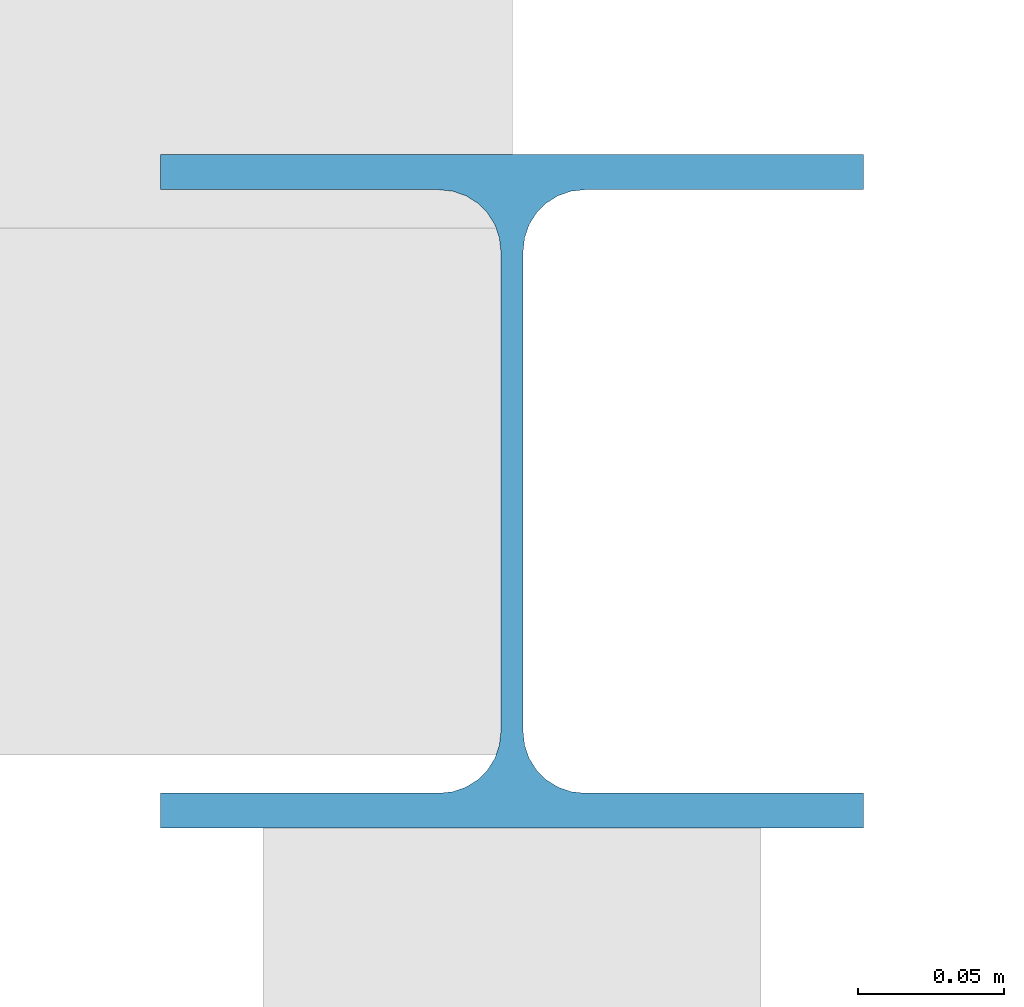
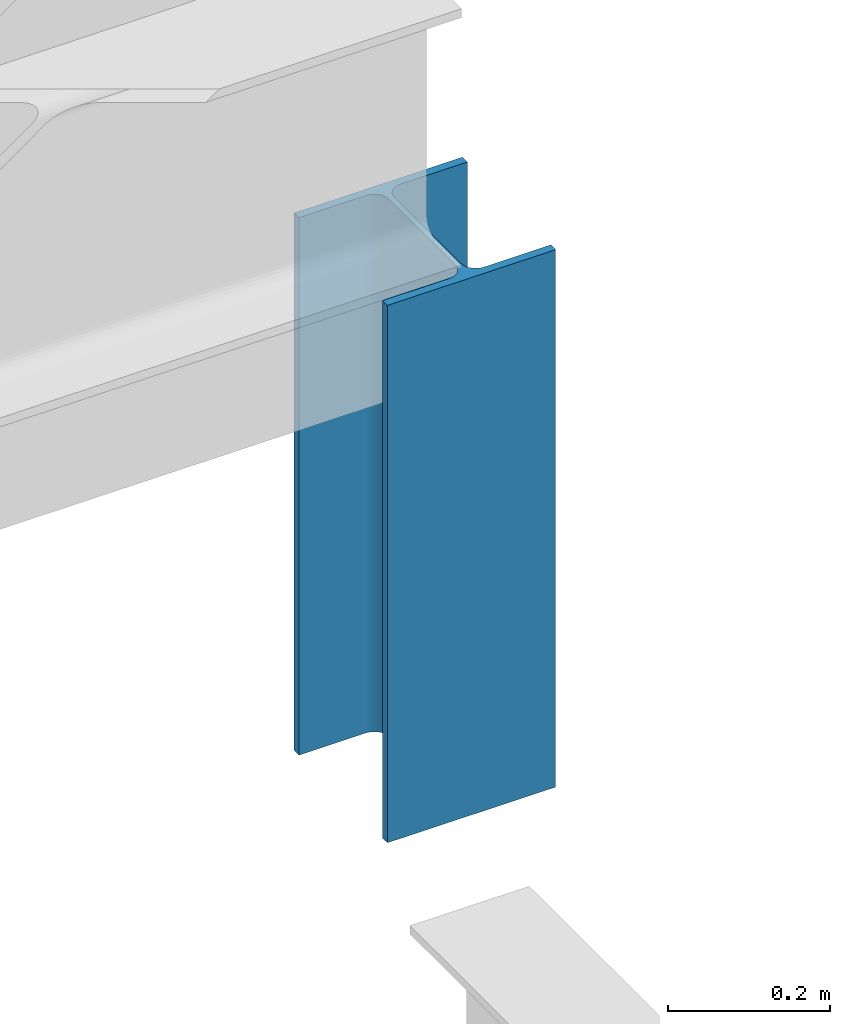
# One storey, part 19 of 110: 1 column.
"""IFC4 building model written with IfcOpenShell, lengths in metres."""

from ifc_helpers import new_model, si_unit, direction, frame, origin, origin_2d, place, context, subcontext, project, spatial, i_section, extrude, material, material_profile, profile_set, type_object, element, save


model = new_model("IFC4")

# Units and contexts
model_context = context("Model", 3, precision=1e-05, world=origin(), true_north=direction((0.0, 1.0)))
body_context = subcontext(model_context, "Body", "Model", "MODEL_VIEW")
ifc_project = project(units=[si_unit("LENGTHUNIT", "METRE"), si_unit("AREAUNIT", "SQUARE_METRE"), si_unit("VOLUMEUNIT", "CUBIC_METRE"), si_unit("PLANEANGLEUNIT", "RADIAN"), si_unit("MASSUNIT", "GRAM", prefix="KILO")], contexts=[model_context])

# Site, building, storey
site_placement = place(None, origin())
site = spatial("IfcSite", under=ifc_project, at=site_placement, CompositionType="ELEMENT")
building_placement = place(site_placement, origin())
building = spatial("IfcBuilding", under=site, at=building_placement, Name="Kupolbacken Congress Centre", CompositionType="ELEMENT")
storey_placement = place(building_placement, frame((0.0, 0.0, 18.0)))
storey = spatial("IfcBuildingStorey", under=building, at=storey_placement, Name="L05", CompositionType="ELEMENT", Elevation=18.0)

# Column
ifc_material = material(Name="Steel S355", Category="steel")
ifc_material_profile = material_profile(ifc_material, i_section(OverallWidth=0.239990234375, OverallDepth=0.22998046875, WebThickness=0.007568359375, FlangeThickness=0.011962890625, FilletRadius=0.02099609375, at=origin_2d()), Name="HEA 240")
ifc_profile_set = profile_set([ifc_material_profile], Name="Steel S355")
column_type = type_object("IfcColumnType", Name="C10 column HEA 240", PredefinedType="COLUMN", material=ifc_profile_set)
column_placement = place(storey_placement, frame((86.39990234375, 148.800048828125, 0.0), z_axis=(0.0, 0.0, 1.0), x_axis=(1.0, 0.0, 0.0)))
element("IfcColumn", 1, at=column_placement, inside=storey, type_object=column_type, Name="E/T/portico/N/col86.4/L05", PredefinedType="COLUMN", context=body_context, shape_type="SweptSolid", body=[
    extrude(i_section(OverallWidth=0.239990234375, OverallDepth=0.22998046875, WebThickness=0.007568359375, FlangeThickness=0.011962890625, FilletRadius=0.02099609375, at=origin_2d()), origin(), (0.0, 0.0, 1.0), 0.81005859375),
])

save(model, "model.ifc")
